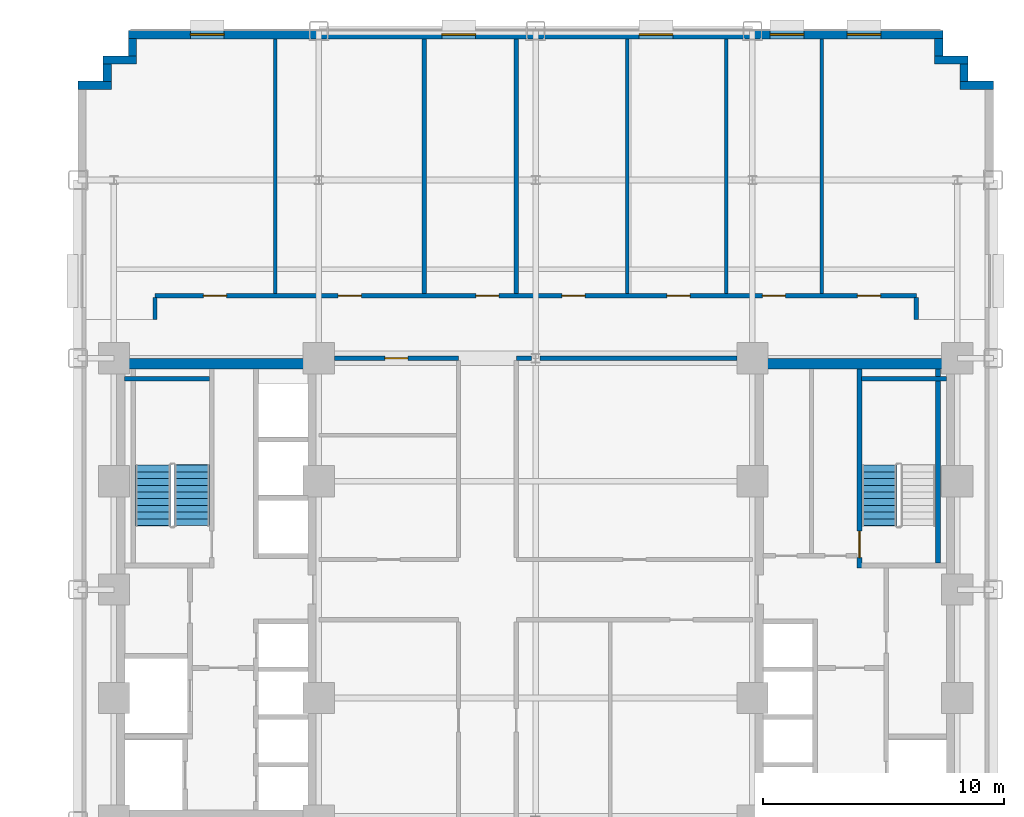
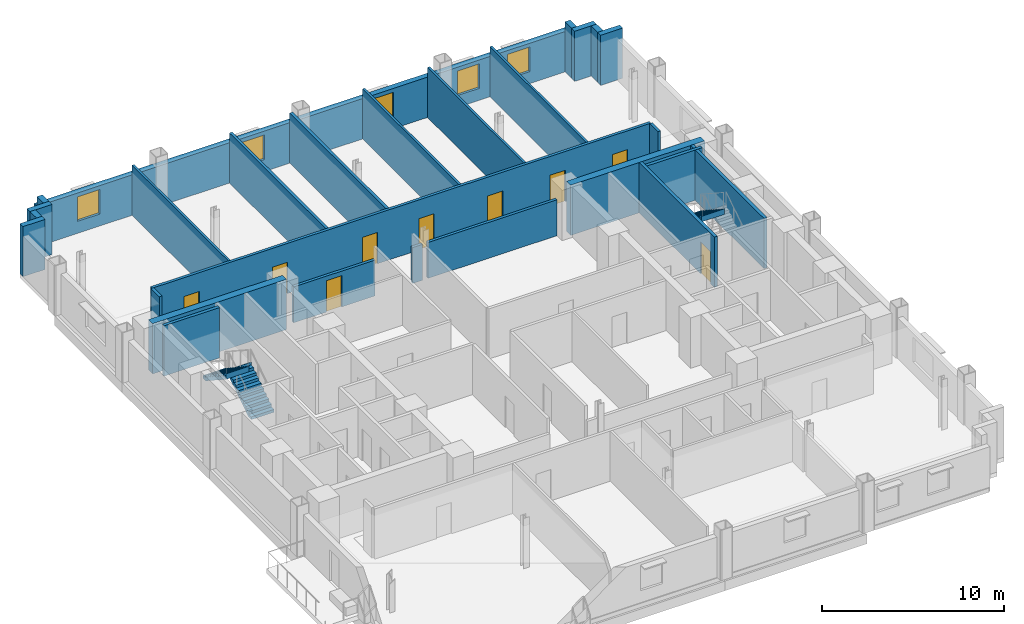
# One storey, part 7 of 12: 27 walls, 9 doors, 5 windows, 3 stair flights, 14 openings, 2 elements without a shape of their own.
"""IFC4 building model written with IfcOpenShell, lengths in metres."""

from ifc_helpers import new_model, si_unit, direction, frame, frame_2d, origin, place, context, subcontext, project, spatial, polyline, rectangle, outline, extrude, source, transform, mapped, material, layer, layer_set, type_object, type_shapes, element, fill, aggregate, save


model = new_model("IFC4")

# Units and contexts
model_context = context("Model", 3, precision=1e-05, world=origin(), true_north=direction((0.0, 1.0)))
body_context = subcontext(model_context, "Body", "Model", "MODEL_VIEW")
ifc_project = project(units=[si_unit("LENGTHUNIT", "METRE"), si_unit("AREAUNIT", "SQUARE_METRE"), si_unit("VOLUMEUNIT", "CUBIC_METRE"), si_unit("PLANEANGLEUNIT", "RADIAN"), si_unit("MASSUNIT", "GRAM", prefix="KILO")], contexts=[model_context])

# Site, building, storey
site_placement = place(None, origin())
site = spatial("IfcSite", under=ifc_project, at=site_placement, CompositionType="ELEMENT")
building_placement = place(site_placement, origin())
building = spatial("IfcBuilding", under=site, at=building_placement, Name="Nuvemarco Arch Tower", CompositionType="ELEMENT")
storey_placement = place(building_placement, frame((0.0, 0.0, 34.89990234375)))
storey = spatial("IfcBuildingStorey", under=building, at=storey_placement, Name="L08", CompositionType="ELEMENT", Elevation=34.89990234375)

# Walls
ifc_material_1 = material(Name="Precast concrete C45/55", Category="concrete")
ifc_layer_1 = layer(ifc_material_1, 0.340087890625, Name="EW-LOW-340")
ifc_layer_set_1 = layer_set([ifc_layer_1], Name="Precast concrete C45/55")
wall_type_1 = type_object("IfcWallType", Name="EW-LOW-340", PredefinedType="STANDARD", material=ifc_layer_set_1)
wall_1_placement = place(storey_placement, frame((17.610107421875, 20.929931640625, 0.0), z_axis=(0.0, 0.0, 1.0), x_axis=(1.0, 0.0, 0.0)))
element("IfcWall", 1, at=wall_1_placement, inside=storey, type_object=wall_type_1, Name="L08 exterior precast facade wall 7", PredefinedType="STANDARD", context=body_context, shape_type="SweptSolid", body=[
    extrude(rectangle(XDim=1.389892578125, YDim=0.340087890625, at=frame_2d((0.69482421875, 0.0))), origin(), (0.0, 0.0, 1.0), 3.360107421875),
])
wall_2_placement = place(storey_placement, frame((17.780029296875, 21.095947265625, 0.0), z_axis=(0.0, 0.0, 1.0), x_axis=(0.0, 1.0, 0.0)))
element("IfcWall", 2, at=wall_2_placement, inside=storey, type_object=wall_type_1, Name="L08 exterior precast facade wall 8", PredefinedType="STANDARD", context=body_context, shape_type="SweptSolid", body=[
    extrude(rectangle(XDim=0.718017578125, YDim=0.340087890625, at=frame_2d((0.35888671875, 0.0))), origin(), (0.0, 0.0, 1.0), 3.360107421875),
])
wall_3_placement = place(storey_placement, frame((16.56005859375, 21.97998046875, 0.0), z_axis=(0.0, 0.0, 1.0), x_axis=(1.0, 0.0, 0.0)))
element("IfcWall", 3, at=wall_3_placement, inside=storey, type_object=wall_type_1, Name="L08 exterior precast facade wall 9", PredefinedType="STANDARD", context=body_context, shape_type="SweptSolid", body=[
    extrude(rectangle(XDim=1.389892578125, YDim=0.340087890625, at=frame_2d((0.69482421875, 0.0))), origin(), (0.0, 0.0, 1.0), 3.360107421875),
])
wall_4_placement = place(storey_placement, frame((16.72998046875, 22.14599609375, 0.0), z_axis=(0.0, 0.0, 1.0), x_axis=(0.0, 1.0, 0.0)))
element("IfcWall", 4, at=wall_4_placement, inside=storey, type_object=wall_type_1, Name="L08 exterior precast facade wall 10", PredefinedType="STANDARD", context=body_context, shape_type="SweptSolid", body=[
    extrude(rectangle(XDim=0.718017578125, YDim=0.340087890625, at=frame_2d((0.35888671875, 0.0))), origin(), (0.0, 0.0, 1.0), 3.360107421875),
])

# Wall, openings, windows
wall_5_placement = place(storey_placement, frame((-16.89990234375, 23.030029296875, 0.0), z_axis=(0.0, 0.0, 1.0), x_axis=(1.0, 0.0, 0.0)))
wall_5 = element("IfcWall", 5, at=wall_5_placement, inside=storey, type_object=wall_type_1, Name="L08 exterior precast facade wall 11", PredefinedType="STANDARD", context=body_context, shape_type="SweptSolid", body=[
    extrude(rectangle(XDim=33.7998046875, YDim=0.340087890625, at=frame_2d((16.89990234375, 0.0))), origin(), (0.0, 0.0, 1.0), 2.705078125),
])
opening_1_placement = place(wall_5_placement, frame((2.5712890625, 0.0, 0.800048828125)))
opening_1 = element("IfcOpeningElement", 6, at=opening_1_placement, cuts=wall_5, Name="Opening WN-4", PredefinedType="OPENING", context=body_context, shape_type="SweptSolid", body=[
    extrude(rectangle(XDim=1.39990234375, YDim=1.64990234375, at=frame_2d((0.699951171875, 0.824951171875))), frame((0.0, 0.179931640625, 0.0), z_axis=(0.0, -1.0, 0.0), x_axis=(1.0, 0.0, 0.0)), (0.0, 0.0, 1.0), 0.360107421875),
])
opening_2_placement = place(wall_5_placement, frame((13.007080078125, 0.0, 0.800048828125)))
opening_2 = element("IfcOpeningElement", 7, at=opening_2_placement, cuts=wall_5, Name="Opening WN-4", PredefinedType="OPENING", context=body_context, shape_type="SweptSolid", body=[
    extrude(rectangle(XDim=1.39990234375, YDim=1.64990234375, at=frame_2d((0.699951171875, 0.824951171875))), frame((0.0, 0.179931640625, 0.0), z_axis=(0.0, -1.0, 0.0), x_axis=(1.0, 0.0, 0.0)), (0.0, 0.0, 1.0), 0.360107421875),
])
opening_3_placement = place(wall_5_placement, frame((21.19287109375, 0.0, 0.800048828125)))
opening_3 = element("IfcOpeningElement", 8, at=opening_3_placement, cuts=wall_5, Name="Opening WN-4", PredefinedType="OPENING", context=body_context, shape_type="SweptSolid", body=[
    extrude(rectangle(XDim=1.39990234375, YDim=1.64990234375, at=frame_2d((0.699951171875, 0.824951171875))), frame((0.0, 0.179931640625, 0.0), z_axis=(0.0, -1.0, 0.0), x_axis=(1.0, 0.0, 0.0)), (0.0, 0.0, 1.0), 0.360107421875),
])
opening_4_placement = place(wall_5_placement, frame((26.6357421875, 0.0, 0.800048828125)))
opening_4 = element("IfcOpeningElement", 9, at=opening_4_placement, cuts=wall_5, Name="Opening WN-4", PredefinedType="OPENING", context=body_context, shape_type="SweptSolid", body=[
    extrude(rectangle(XDim=1.39990234375, YDim=1.64990234375, at=frame_2d((0.699951171875, 0.824951171875))), frame((0.0, 0.179931640625, 0.0), z_axis=(0.0, -1.0, 0.0), x_axis=(1.0, 0.0, 0.0)), (0.0, 0.0, 1.0), 0.360107421875),
])
opening_5_placement = place(wall_5_placement, frame((29.82861328125, 0.0, 0.800048828125)))
opening_5 = element("IfcOpeningElement", 10, at=opening_5_placement, cuts=wall_5, Name="Opening WN-4", PredefinedType="OPENING", context=body_context, shape_type="SweptSolid", body=[
    extrude(rectangle(XDim=1.39990234375, YDim=1.64990234375, at=frame_2d((0.699951171875, 0.824951171875))), frame((0.0, 0.179931640625, 0.0), z_axis=(0.0, -1.0, 0.0), x_axis=(1.0, 0.0, 0.0)), (0.0, 0.0, 1.0), 0.360107421875),
])
ifc_material_2 = material(Name="Insulated solar-control glass", Category="glass")
window_type = type_object("IfcWindowType", Name="WN-LOW-1400x1650", PartitioningType="SINGLE_PANEL", PredefinedType="WINDOW", material=ifc_material_2)
shared_shape_1 = source(origin(), body_context, "Body", "SweptSolid", [
    extrude(rectangle(XDim=1.39990234375, YDim=1.64990234375, at=frame_2d((0.699951171875, 0.824951171875))), frame((0.0, 0.030029296875, 0.0), z_axis=(0.0, -1.0, 0.0), x_axis=(1.0, 0.0, 0.0)), (0.0, 0.0, 1.0), 0.06005859375),
])
type_shapes(window_type, [shared_shape_1])
window_1_placement = place(opening_1_placement, origin())
window_1 = element("IfcWindow", 11, at=window_1_placement, inside=storey, type_object=window_type, Name="L08 punched facade window 1", OverallHeight=1.64990234375, OverallWidth=1.39990234375, PartitioningType="SINGLE_PANEL", PredefinedType="WINDOW", context=body_context, shape_type="MappedRepresentation", body=[
    mapped(shared_shape_1, transform((0.0, 0.0, 0.0), scale=1.0)),
])
fill(opening_1, window_1)
window_2_placement = place(opening_2_placement, origin())
window_2 = element("IfcWindow", 12, at=window_2_placement, inside=storey, type_object=window_type, Name="L08 punched facade window 3", OverallHeight=1.64990234375, OverallWidth=1.39990234375, PartitioningType="SINGLE_PANEL", PredefinedType="WINDOW", context=body_context, shape_type="MappedRepresentation", body=[
    mapped(shared_shape_1, transform((0.0, 0.0, 0.0), scale=1.0)),
])
fill(opening_2, window_2)
window_3_placement = place(opening_3_placement, origin())
window_3 = element("IfcWindow", 13, at=window_3_placement, inside=storey, type_object=window_type, Name="L08 punched facade window 5", OverallHeight=1.64990234375, OverallWidth=1.39990234375, PartitioningType="SINGLE_PANEL", PredefinedType="WINDOW", context=body_context, shape_type="MappedRepresentation", body=[
    mapped(shared_shape_1, transform((0.0, 0.0, 0.0), scale=1.0)),
])
fill(opening_3, window_3)
window_4_placement = place(opening_4_placement, origin())
window_4 = element("IfcWindow", 14, at=window_4_placement, inside=storey, type_object=window_type, Name="L08 punched facade window 6", OverallHeight=1.64990234375, OverallWidth=1.39990234375, PartitioningType="SINGLE_PANEL", PredefinedType="WINDOW", context=body_context, shape_type="MappedRepresentation", body=[
    mapped(shared_shape_1, transform((0.0, 0.0, 0.0), scale=1.0)),
])
fill(opening_4, window_4)
window_5_placement = place(opening_5_placement, origin())
window_5 = element("IfcWindow", 15, at=window_5_placement, inside=storey, type_object=window_type, Name="L08 punched facade window 7", OverallHeight=1.64990234375, OverallWidth=1.39990234375, PartitioningType="SINGLE_PANEL", PredefinedType="WINDOW", context=body_context, shape_type="MappedRepresentation", body=[
    mapped(shared_shape_1, transform((0.0, 0.0, 0.0), scale=1.0)),
])
fill(opening_5, window_5)

# Walls
wall_6_placement = place(storey_placement, frame((-16.72998046875, 22.14599609375, 0.0), z_axis=(0.0, 0.0, 1.0), x_axis=(0.0, 1.0, 0.0)))
element("IfcWall", 16, at=wall_6_placement, inside=storey, type_object=wall_type_1, Name="L08 exterior precast facade wall 12", PredefinedType="STANDARD", context=body_context, shape_type="SweptSolid", body=[
    extrude(rectangle(XDim=0.718017578125, YDim=0.340087890625, at=frame_2d((0.35888671875, 0.0))), origin(), (0.0, 0.0, 1.0), 3.360107421875),
])
wall_7_placement = place(storey_placement, frame((-17.949951171875, 21.97998046875, 0.0), z_axis=(0.0, 0.0, 1.0), x_axis=(1.0, 0.0, 0.0)))
element("IfcWall", 17, at=wall_7_placement, inside=storey, type_object=wall_type_1, Name="L08 exterior precast facade wall 13", PredefinedType="STANDARD", context=body_context, shape_type="SweptSolid", body=[
    extrude(rectangle(XDim=1.389892578125, YDim=0.340087890625, at=frame_2d((0.69482421875, 0.0))), origin(), (0.0, 0.0, 1.0), 3.360107421875),
])
wall_8_placement = place(storey_placement, frame((-17.780029296875, 21.095947265625, 0.0), z_axis=(0.0, 0.0, 1.0), x_axis=(0.0, 1.0, 0.0)))
element("IfcWall", 18, at=wall_8_placement, inside=storey, type_object=wall_type_1, Name="L08 exterior precast facade wall 14", PredefinedType="STANDARD", context=body_context, shape_type="SweptSolid", body=[
    extrude(rectangle(XDim=0.718017578125, YDim=0.340087890625, at=frame_2d((0.35888671875, 0.0))), origin(), (0.0, 0.0, 1.0), 3.360107421875),
])
wall_9_placement = place(storey_placement, frame((-19.0, 20.929931640625, 0.0), z_axis=(0.0, 0.0, 1.0), x_axis=(1.0, 0.0, 0.0)))
element("IfcWall", 19, at=wall_9_placement, inside=storey, type_object=wall_type_1, Name="L08 exterior precast facade wall 15", PredefinedType="STANDARD", context=body_context, shape_type="SweptSolid", body=[
    extrude(rectangle(XDim=1.389892578125, YDim=0.340087890625, at=frame_2d((0.69482421875, 0.0))), origin(), (0.0, 0.0, 1.0), 3.360107421875),
])
ifc_material_3 = material(Name="Concrete C60/75", Category="concrete")
ifc_layer_2 = layer(ifc_material_3, 0.449951171875, Name="WL-CORE-450")
ifc_layer_set_2 = layer_set([ifc_layer_2], Name="Concrete C60/75")
wall_type_2 = type_object("IfcWallType", Name="WL-CORE-450", PredefinedType="SHEAR", material=ifc_layer_set_2)
for number, where, z_axis, x_axis, name in (
    (20, (-17.5, 9.375, 0.0), (0.0, 0.0, 1.0), (1.0, 0.0, 0.0), "L08 W-core shear wall N"),
    (21, (9.0, 9.375, 0.0), (0.0, 0.0, 1.0), (1.0, 0.0, 0.0), "L08 E-core shear wall N"),
):
    element("IfcWall", number, at=place(storey_placement, frame(where, z_axis=z_axis, x_axis=x_axis)), inside=storey, type_object=wall_type_2, Name=name, PredefinedType="SHEAR", context=body_context, shape_type="SweptSolid", body=[
        extrude(rectangle(XDim=8.5, YDim=0.449951171875, at=frame_2d((4.25, 0.0))), origin(), (0.0, 0.0, 1.0), 3.3701171875),
    ])

# Wall, opening, door
ifc_material_4 = material(Name="Fire-rated gypsum drywall partition")
ifc_layer_3 = layer(ifc_material_4, 0.179931640625, Name="WL-CORR-180")
ifc_layer_set_3 = layer_set([ifc_layer_3], Name="Fire-rated gypsum drywall partition")
wall_type_3 = type_object("IfcWallType", Name="WL-CORR-180", PredefinedType="PARTITIONING", material=ifc_layer_set_3)
wall_10_placement = place(storey_placement, frame((-8.35400390625, 9.60009765625, 0.0), z_axis=(0.0, 0.0, 1.0), x_axis=(1.0, 0.0, 0.0)))
wall_10 = element("IfcWall", 22, at=wall_10_placement, inside=storey, type_object=wall_type_3, Name="L08 interior wall IW-L08-012", PredefinedType="PARTITIONING", context=body_context, shape_type="SweptSolid", body=[
    extrude(rectangle(XDim=5.154052734375, YDim=0.179931640625, at=frame_2d((2.5771484375, 0.0))), origin(), (0.0, 0.0, 1.0), 2.405029296875),
])
opening_6_placement = place(wall_10_placement, frame((2.096923828125, 0.0, 0.0)))
opening_6 = element("IfcOpeningElement", 23, at=opening_6_placement, cuts=wall_10, Name="Opening FD-5", PredefinedType="OPENING", context=body_context, shape_type="SweptSolid", body=[
    extrude(rectangle(XDim=0.9599609375, YDim=2.10009765625, at=frame_2d((0.47998046875, 1.050048828125))), frame((0.0, 0.099853515625, 0.0), z_axis=(0.0, -1.0, 0.0), x_axis=(1.0, 0.0, 0.0)), (0.0, 0.0, 1.0), 0.199951171875),
])
ifc_material_5 = material(Name="Timber fire door", Category="wood")
door_type_1 = type_object("IfcDoorType", Name="DR-CORR-FD", OperationType="NOTDEFINED", PredefinedType="DOOR", material=ifc_material_5)
shared_shape_2 = source(origin(), body_context, "Body", "SweptSolid", [
    extrude(rectangle(XDim=0.9599609375, YDim=2.10009765625, at=frame_2d((0.47998046875, 1.050048828125))), frame((0.0, 0.02490234375, 0.0), z_axis=(0.0, -1.0, 0.0), x_axis=(1.0, 0.0, 0.0)), (0.0, 0.0, 1.0), 0.050048828125),
])
type_shapes(door_type_1, [shared_shape_2])
door_1_placement = place(opening_6_placement, origin())
door_1 = element("IfcDoor", 24, at=door_1_placement, inside=storey, type_object=door_type_1, Name="L08 door DR-L08-C_NW2", OperationType="SINGLE_SWING_LEFT", OverallHeight=2.10009765625, OverallWidth=0.9599609375, PredefinedType="DOOR", context=body_context, shape_type="MappedRepresentation", body=[
    mapped(shared_shape_2, transform((0.0, 0.0, 0.0), scale=1.0)),
])
fill(opening_6, door_1)

# Walls
wall_11_placement = place(storey_placement, frame((-0.800048828125, 9.60009765625, 0.0), z_axis=(0.0, 0.0, 1.0), x_axis=(1.0, 0.0, 0.0)))
element("IfcWall", 25, at=wall_11_placement, inside=storey, type_object=wall_type_3, Name="L08 interior wall IW-L08-013", PredefinedType="PARTITIONING", context=body_context, shape_type="SweptSolid", body=[
    extrude(rectangle(XDim=0.6240234375, YDim=0.179931640625, at=frame_2d((0.31201171875, 0.0))), origin(), (0.0, 0.0, 1.0), 2.405029296875),
])
wall_12_placement = place(storey_placement, frame((0.176025390625, 9.60009765625, 0.0), z_axis=(0.0, 0.0, 1.0), x_axis=(1.0, 0.0, 0.0)))
element("IfcWall", 26, at=wall_12_placement, inside=storey, type_object=wall_type_3, Name="L08 interior wall IW-L08-014", PredefinedType="PARTITIONING", context=body_context, shape_type="SweptSolid", body=[
    extrude(rectangle(XDim=8.177978515625, YDim=0.179931640625, at=frame_2d((4.0888671875, 0.0))), origin(), (0.0, 0.0, 1.0), 2.405029296875),
])

# Wall, openings, doors
wall_13_placement = place(storey_placement, frame((-15.800048828125, 12.199951171875, 0.0), z_axis=(0.0, 0.0, 1.0), x_axis=(1.0, 0.0, 0.0)))
wall_13 = element("IfcWall", 27, at=wall_13_placement, inside=storey, type_object=wall_type_3, Name="L08 interior wall IW-L08-015", PredefinedType="PARTITIONING", context=body_context, shape_type="SweptSolid", body=[
    extrude(rectangle(XDim=31.60009765625, YDim=0.179931640625, at=frame_2d((15.800048828125, 0.0))), origin(), (0.0, 0.0, 1.0), 3.360107421875),
])
opening_7_placement = place(wall_13_placement, frame((7.60498046875, 0.0, 0.0)))
opening_7 = element("IfcOpeningElement", 28, at=opening_7_placement, cuts=wall_13, Name="Opening FD-5", PredefinedType="OPENING", context=body_context, shape_type="SweptSolid", body=[
    extrude(rectangle(XDim=0.9599609375, YDim=2.10009765625, at=frame_2d((0.47998046875, 1.050048828125))), frame((0.0, 0.099853515625, 0.0), z_axis=(0.0, -1.0, 0.0), x_axis=(1.0, 0.0, 0.0)), (0.0, 0.0, 1.0), 0.199951171875),
])
opening_8_placement = place(wall_13_placement, frame((2.014892578125, 0.0, 0.0)))
opening_8 = element("IfcOpeningElement", 29, at=opening_8_placement, cuts=wall_13, Name="Opening FD-5", PredefinedType="OPENING", context=body_context, shape_type="SweptSolid", body=[
    extrude(rectangle(XDim=0.9599609375, YDim=2.10009765625, at=frame_2d((0.47998046875, 1.050048828125))), frame((0.0, 0.099853515625, 0.0), z_axis=(0.0, -1.0, 0.0), x_axis=(1.0, 0.0, 0.0)), (0.0, 0.0, 1.0), 0.199951171875),
])
opening_9_placement = place(wall_13_placement, frame((16.89501953125, 0.0, 0.0)))
opening_9 = element("IfcOpeningElement", 30, at=opening_9_placement, cuts=wall_13, Name="Opening FD-5", PredefinedType="OPENING", context=body_context, shape_type="SweptSolid", body=[
    extrude(rectangle(XDim=0.9599609375, YDim=2.10009765625, at=frame_2d((0.47998046875, 1.050048828125))), frame((0.0, 0.099853515625, 0.0), z_axis=(0.0, -1.0, 0.0), x_axis=(1.0, 0.0, 0.0)), (0.0, 0.0, 1.0), 0.199951171875),
])
opening_10_placement = place(wall_13_placement, frame((21.25, 0.0, 0.0)))
opening_10 = element("IfcOpeningElement", 31, at=opening_10_placement, cuts=wall_13, Name="Opening FD-5", PredefinedType="OPENING", context=body_context, shape_type="SweptSolid", body=[
    extrude(rectangle(XDim=0.9599609375, YDim=2.10009765625, at=frame_2d((0.47998046875, 1.050048828125))), frame((0.0, 0.099853515625, 0.0), z_axis=(0.0, -1.0, 0.0), x_axis=(1.0, 0.0, 0.0)), (0.0, 0.0, 1.0), 0.199951171875),
])
opening_11_placement = place(wall_13_placement, frame((25.2099609375, 0.0, 0.0)))
opening_11 = element("IfcOpeningElement", 32, at=opening_11_placement, cuts=wall_13, Name="Opening FD-5", PredefinedType="OPENING", context=body_context, shape_type="SweptSolid", body=[
    extrude(rectangle(XDim=0.9599609375, YDim=2.10009765625, at=frame_2d((0.47998046875, 1.050048828125))), frame((0.0, 0.099853515625, 0.0), z_axis=(0.0, -1.0, 0.0), x_axis=(1.0, 0.0, 0.0)), (0.0, 0.0, 1.0), 0.199951171875),
])
opening_12_placement = place(wall_13_placement, frame((29.155029296875, 0.0, 0.0)))
opening_12 = element("IfcOpeningElement", 33, at=opening_12_placement, cuts=wall_13, Name="Opening FD-5", PredefinedType="OPENING", context=body_context, shape_type="SweptSolid", body=[
    extrude(rectangle(XDim=0.9599609375, YDim=2.10009765625, at=frame_2d((0.47998046875, 1.050048828125))), frame((0.0, 0.099853515625, 0.0), z_axis=(0.0, -1.0, 0.0), x_axis=(1.0, 0.0, 0.0)), (0.0, 0.0, 1.0), 0.199951171875),
])
opening_13_placement = place(wall_13_placement, frame((13.320068359375, 0.0, 0.0)))
opening_13 = element("IfcOpeningElement", 34, at=opening_13_placement, cuts=wall_13, Name="Opening FD-5", PredefinedType="OPENING", context=body_context, shape_type="SweptSolid", body=[
    extrude(rectangle(XDim=0.9599609375, YDim=2.10009765625, at=frame_2d((0.47998046875, 1.050048828125))), frame((0.0, 0.099853515625, 0.0), z_axis=(0.0, -1.0, 0.0), x_axis=(1.0, 0.0, 0.0)), (0.0, 0.0, 1.0), 0.199951171875),
])
door_2_placement = place(opening_7_placement, origin())
door_2 = element("IfcDoor", 35, at=door_2_placement, inside=storey, type_object=door_type_1, Name="L08 door DR-L08-N_2", OperationType="SINGLE_SWING_RIGHT", OverallHeight=2.10009765625, OverallWidth=0.9599609375, PredefinedType="DOOR", context=body_context, shape_type="MappedRepresentation", body=[
    mapped(shared_shape_2, transform((0.0, 0.0, 0.0), scale=1.0)),
])
fill(opening_7, door_2)
door_3_placement = place(opening_8_placement, origin())
door_3 = element("IfcDoor", 36, at=door_3_placement, inside=storey, type_object=door_type_1, Name="L08 door DR-L08-N_1", OperationType="SINGLE_SWING_RIGHT", OverallHeight=2.10009765625, OverallWidth=0.9599609375, PredefinedType="DOOR", context=body_context, shape_type="MappedRepresentation", body=[
    mapped(shared_shape_2, transform((0.0, 0.0, 0.0), scale=1.0)),
])
fill(opening_8, door_3)
door_4_placement = place(opening_9_placement, origin())
door_4 = element("IfcDoor", 37, at=door_4_placement, inside=storey, type_object=door_type_1, Name="L08 door DR-L08-N_4", OperationType="SINGLE_SWING_LEFT", OverallHeight=2.10009765625, OverallWidth=0.9599609375, PredefinedType="DOOR", context=body_context, shape_type="MappedRepresentation", body=[
    mapped(shared_shape_2, transform((0.0, 0.0, 0.0), scale=1.0)),
])
fill(opening_9, door_4)
door_5_placement = place(opening_10_placement, origin())
door_5 = element("IfcDoor", 38, at=door_5_placement, inside=storey, type_object=door_type_1, Name="L08 door DR-L08-N_5", OperationType="SINGLE_SWING_RIGHT", OverallHeight=2.10009765625, OverallWidth=0.9599609375, PredefinedType="DOOR", context=body_context, shape_type="MappedRepresentation", body=[
    mapped(shared_shape_2, transform((0.0, 0.0, 0.0), scale=1.0)),
])
fill(opening_10, door_5)
door_6_placement = place(opening_11_placement, origin())
door_6 = element("IfcDoor", 39, at=door_6_placement, inside=storey, type_object=door_type_1, Name="L08 door DR-L08-N_6", OperationType="SINGLE_SWING_LEFT", OverallHeight=2.10009765625, OverallWidth=0.9599609375, PredefinedType="DOOR", context=body_context, shape_type="MappedRepresentation", body=[
    mapped(shared_shape_2, transform((0.0, 0.0, 0.0), scale=1.0)),
])
fill(opening_11, door_6)
door_7_placement = place(opening_12_placement, origin())
door_7 = element("IfcDoor", 40, at=door_7_placement, inside=storey, type_object=door_type_1, Name="L08 door DR-L08-N_7", OperationType="SINGLE_SWING_RIGHT", OverallHeight=2.10009765625, OverallWidth=0.9599609375, PredefinedType="DOOR", context=body_context, shape_type="MappedRepresentation", body=[
    mapped(shared_shape_2, transform((0.0, 0.0, 0.0), scale=1.0)),
])
fill(opening_12, door_7)
door_8_placement = place(opening_13_placement, origin())
door_8 = element("IfcDoor", 41, at=door_8_placement, inside=storey, type_object=door_type_1, Name="L08 door DR-L08-N_3", OperationType="SINGLE_SWING_LEFT", OverallHeight=2.10009765625, OverallWidth=0.9599609375, PredefinedType="DOOR", context=body_context, shape_type="MappedRepresentation", body=[
    mapped(shared_shape_2, transform((0.0, 0.0, 0.0), scale=1.0)),
])
fill(opening_13, door_8)

# Walls
wall_14_placement = place(storey_placement, frame((-15.800048828125, 11.199951171875, 0.0), z_axis=(0.0, 0.0, 1.0), x_axis=(0.0, 1.0, 0.0)))
element("IfcWall", 42, at=wall_14_placement, inside=storey, type_object=wall_type_3, Name="L08 interior wall IW-L08-017", PredefinedType="PARTITIONING", context=body_context, shape_type="SweptSolid", body=[
    extrude(rectangle(XDim=0.9140625, YDim=0.179931640625, at=frame_2d((0.45703125, 0.0))), origin(), (0.0, 0.0, 1.0), 3.360107421875),
])
for number, where, z_axis, x_axis, name in (
    (43, (-4.6201171875, 12.285888671875, 0.0), (0.0, 0.0, 1.0), (0.0, 1.0, 0.0), "L08 interior wall IW-L08-020"),
    (44, (-0.800048828125, 12.285888671875, 0.0), (0.0, 0.0, 1.0), (0.0, 1.0, 0.0), "L08 interior wall IW-L08-026"),
):
    element("IfcWall", number, at=place(storey_placement, frame(where, z_axis=z_axis, x_axis=x_axis)), inside=storey, type_object=wall_type_3, Name=name, PredefinedType="PARTITIONING", context=body_context, shape_type="SweptSolid", body=[
        extrude(rectangle(XDim=10.57421875, YDim=0.179931640625, at=frame_2d((5.287109375, 0.0))), origin(), (0.0, 0.0, 1.0), 3.360107421875),
    ])
wall_15_placement = place(storey_placement, frame((15.800048828125, 11.199951171875, 0.0), z_axis=(0.0, 0.0, 1.0), x_axis=(0.0, 1.0, 0.0)))
element("IfcWall", 45, at=wall_15_placement, inside=storey, type_object=wall_type_3, Name="L08 interior wall IW-L08-037", PredefinedType="PARTITIONING", context=body_context, shape_type="SweptSolid", body=[
    extrude(rectangle(XDim=0.9140625, YDim=0.179931640625, at=frame_2d((0.45703125, 0.0))), origin(), (0.0, 0.0, 1.0), 3.360107421875),
])
ifc_material_6 = material(Name="Gypsum plasterboard partition")
ifc_layer_4 = layer(ifc_material_6, 0.139892578125, Name="WL-ROOM-140")
ifc_layer_set_4 = layer_set([ifc_layer_4], Name="Gypsum plasterboard partition")
wall_type_4 = type_object("IfcWallType", Name="WL-ROOM-140", PredefinedType="PARTITIONING", material=ifc_layer_set_4)
for number, where, z_axis, x_axis, name in (
    (46, (-10.81005859375, 12.285888671875, 0.0), (0.0, 0.0, 1.0), (0.0, 1.0, 0.0), "L08 interior wall IW-L08-018"),
    (47, (3.800048828125, 12.285888671875, 0.0), (0.0, 0.0, 1.0), (0.0, 1.0, 0.0), "L08 interior wall IW-L08-030"),
    (48, (7.909912109375, 12.285888671875, 0.0), (0.0, 0.0, 1.0), (0.0, 1.0, 0.0), "L08 interior wall IW-L08-032"),
    (49, (11.8701171875, 12.285888671875, 0.0), (0.0, 0.0, 1.0), (0.0, 1.0, 0.0), "L08 interior wall IW-L08-035"),
):
    element("IfcWall", number, at=place(storey_placement, frame(where, z_axis=z_axis, x_axis=x_axis)), inside=storey, type_object=wall_type_4, Name=name, PredefinedType="PARTITIONING", context=body_context, shape_type="SweptSolid", body=[
        extrude(rectangle(XDim=10.57421875, YDim=0.139892578125, at=frame_2d((5.287109375, 0.0))), origin(), (0.0, 0.0, 1.0), 3.360107421875),
    ])
ifc_material_7 = material(Name="Concrete C50/60", Category="concrete")
ifc_layer_5 = layer(ifc_material_7, 0.199951171875, Name="WL-SHAFT-220")
ifc_layer_set_5 = layer_set([ifc_layer_5], Name="Concrete C50/60")
wall_type_5 = type_object("IfcWallType", Name="WL-SHAFT-220", PredefinedType="SHEAR", material=ifc_layer_set_5)
wall_16_placement = place(storey_placement, frame((-17.054931640625, 8.75, 0.0), z_axis=(0.0, 0.0, 1.0), x_axis=(1.0, 0.0, 0.0)))
element("IfcWall", 50, at=wall_16_placement, inside=storey, type_object=wall_type_5, Name="L08 structural shaft wall SW-L08-W-ST1N", PredefinedType="SHEAR", context=body_context, shape_type="SweptSolid", body=[
    extrude(rectangle(XDim=3.52001953125, YDim=0.199951171875, at=frame_2d((1.760009765625, 0.0))), origin(), (0.0, 0.0, 1.0), 3.3701171875),
])

# Wall, opening, door
wall_17_placement = place(storey_placement, frame((13.43994140625, 0.89990234375, 0.0), z_axis=(0.0, 0.0, 1.0), x_axis=(0.0, 1.0, 0.0)))
wall_17 = element("IfcWall", 51, at=wall_17_placement, inside=storey, type_object=wall_type_5, Name="L08 structural shaft wall SW-L08-E-ST2W", PredefinedType="SHEAR", context=body_context, shape_type="SweptSolid", body=[
    extrude(rectangle(XDim=8.255126953125, YDim=0.199951171875, at=frame_2d((4.12744140625, 0.0))), origin(), (0.0, 0.0, 1.0), 3.3701171875),
])
opening_14_placement = place(wall_17_placement, frame((0.429931640625, 0.0, 0.0)))
opening_14 = element("IfcOpeningElement", 52, at=opening_14_placement, cuts=wall_17, Name="Opening FD-1", PredefinedType="OPENING", context=body_context, shape_type="SweptSolid", body=[
    extrude(rectangle(XDim=1.10009765625, YDim=2.14990234375, at=frame_2d((0.550048828125, 1.074951171875))), frame((0.0, 0.10986328125, 0.0), z_axis=(0.0, -1.0, 0.0), x_axis=(1.0, 0.0, 0.0)), (0.0, 0.0, 1.0), 0.219970703125),
])
ifc_material_8 = material(Name="Anodised steel fire door", Category="steel")
door_type_2 = type_object("IfcDoorType", Name="DR-STAIR-FD", OperationType="NOTDEFINED", PredefinedType="DOOR", material=ifc_material_8)
shared_shape_3 = source(origin(), body_context, "Body", "SweptSolid", [
    extrude(rectangle(XDim=1.10009765625, YDim=2.14990234375, at=frame_2d((0.550048828125, 1.074951171875))), frame((0.0, 0.02490234375, 0.0), z_axis=(0.0, -1.0, 0.0), x_axis=(1.0, 0.0, 0.0)), (0.0, 0.0, 1.0), 0.050048828125),
])
type_shapes(door_type_2, [shared_shape_3])
door_9_placement = place(opening_14_placement, origin())
door_9 = element("IfcDoor", 53, at=door_9_placement, inside=storey, type_object=door_type_2, Name="L08 door FD-L08-ST2", OperationType="SINGLE_SWING_RIGHT", OverallHeight=2.14990234375, OverallWidth=1.10009765625, PredefinedType="DOOR", context=body_context, shape_type="MappedRepresentation", body=[
    mapped(shared_shape_3, transform((0.0, 0.0, 0.0), scale=1.0)),
])
fill(opening_14, door_9)

# Walls
wall_18_placement = place(storey_placement, frame((13.534912109375, 8.75, 0.0), z_axis=(0.0, 0.0, 1.0), x_axis=(1.0, 0.0, 0.0)))
element("IfcWall", 54, at=wall_18_placement, inside=storey, type_object=wall_type_5, Name="L08 structural shaft wall SW-L08-E-ST2N", PredefinedType="SHEAR", context=body_context, shape_type="SweptSolid", body=[
    extrude(rectangle(XDim=3.52001953125, YDim=0.199951171875, at=frame_2d((1.760009765625, 0.0))), origin(), (0.0, 0.0, 1.0), 3.3701171875),
])
wall_19_placement = place(storey_placement, frame((16.699951171875, 1.094970703125, 0.0), z_axis=(0.0, 0.0, 1.0), x_axis=(0.0, 1.0, 0.0)))
element("IfcWall", 55, at=wall_19_placement, inside=storey, type_object=wall_type_5, Name="L08 structural shaft wall SW-L08-E-ST2E", PredefinedType="SHEAR", context=body_context, shape_type="SweptSolid", body=[
    extrude(rectangle(XDim=8.06005859375, YDim=0.199951171875, at=frame_2d((4.030029296875, 0.0))), origin(), (0.0, 0.0, 1.0), 3.3701171875),
])

# Stair, stair flights
stair_type = type_object("IfcStairType", Name="ST-CORE-20R", PredefinedType="HALF_TURN_STAIR", material=ifc_material_1)
stair_1_placement = place(storey_placement, origin())
stair_1 = element("IfcStair", 56, at=stair_1_placement, inside=storey, type_object=stair_type, Name="L08 Protected Exit Stair ST-1", PredefinedType="HALF_TURN_STAIR")
stair_flight_type = type_object("IfcStairFlightType", Name="SF-CORE-20R", PredefinedType="STRAIGHT", material=ifc_material_1)
stair_flight_1_placement = place(storey_placement, frame((-14.264892578125, 2.64990234375, 0.0), z_axis=(0.0, 0.0, 1.0), x_axis=(0.0, 1.0, 0.0)))
stair_flight_1 = element("IfcStairFlight", 57, at=stair_flight_1_placement, type_object=stair_flight_type, Name="ST-20R flight 1", NumberOfRisers=10, NumberOfTreads=9, PredefinedType="STRAIGHT", RiserHeight=0.1825, TreadLength=0.28, context=body_context, shape_type="SweptSolid", body=[
    extrude(outline(polyline([(0.0, 0.0), (0.0, 0.1826171875), (0.280029296875, 0.1826171875), (0.280029296875, 0.364990234375), (0.56005859375, 0.364990234375), (0.56005859375, 0.547607421875), (0.840087890625, 0.547607421875), (0.840087890625, 0.72998046875), (1.1201171875, 0.72998046875), (1.1201171875, 0.91259765625), (1.39990234375, 0.91259765625), (1.39990234375, 1.094970703125), (1.679931640625, 1.094970703125), (1.679931640625, 1.277587890625), (1.9599609375, 1.277587890625), (1.9599609375, 1.4599609375), (2.239990234375, 1.4599609375), (2.239990234375, 1.642578125), (2.52001953125, 1.642578125), (2.52001953125, 1.824951171875), (2.5400390625, 1.824951171875), (2.5400390625, 1.45166015625), (0.312744140625, 0.0), (0.0, 0.0)])), frame((0.0, 0.72509765625, 0.0), z_axis=(0.0, -1.0, 0.0), x_axis=(1.0, 0.0, 0.0)), (0.0, 0.0, 1.0), 1.449951171875),
])
stair_flight_2_placement = place(storey_placement, frame((-15.875, 5.169921875, 1.8251953125), z_axis=(0.0, 0.0, 1.0), x_axis=(0.0, -1.0, 0.0)))
stair_flight_2 = element("IfcStairFlight", 58, at=stair_flight_2_placement, type_object=stair_flight_type, Name="ST-20R flight 2", NumberOfRisers=10, NumberOfTreads=9, PredefinedType="STRAIGHT", RiserHeight=0.1825, TreadLength=0.28, context=body_context, shape_type="SweptSolid", body=[
    extrude(outline(polyline([(0.0, 0.0), (0.0, 0.1826171875), (0.280029296875, 0.1826171875), (0.280029296875, 0.364990234375), (0.56005859375, 0.364990234375), (0.56005859375, 0.547607421875), (0.840087890625, 0.547607421875), (0.840087890625, 0.72998046875), (1.1201171875, 0.72998046875), (1.1201171875, 0.91259765625), (1.39990234375, 0.91259765625), (1.39990234375, 1.094970703125), (1.679931640625, 1.094970703125), (1.679931640625, 1.277587890625), (1.9599609375, 1.277587890625), (1.9599609375, 1.4599609375), (2.239990234375, 1.4599609375), (2.239990234375, 1.642578125), (2.52001953125, 1.642578125), (2.52001953125, 1.824951171875), (2.5400390625, 1.824951171875), (2.5400390625, 1.45166015625), (0.312744140625, 0.0), (0.0, 0.0)])), frame((0.0, 0.72509765625, 0.0), z_axis=(0.0, -1.0, 0.0), x_axis=(1.0, 0.0, 0.0)), (0.0, 0.0, 1.0), 1.449951171875),
])
aggregate(stair_1, [stair_flight_1, stair_flight_2])

# Stair, stair flight
stair_2_placement = place(storey_placement, origin())
stair_2 = element("IfcStair", 59, at=stair_2_placement, inside=storey, type_object=stair_type, Name="L08 Protected Exit Stair ST-2", PredefinedType="HALF_TURN_STAIR")
stair_flight_3_placement = place(storey_placement, frame((14.264892578125, 5.169921875, 1.8251953125), z_axis=(0.0, 0.0, 1.0), x_axis=(0.0, -1.0, 0.0)))
stair_flight_3 = element("IfcStairFlight", 60, at=stair_flight_3_placement, type_object=stair_flight_type, Name="ST-20R flight 2", NumberOfRisers=10, NumberOfTreads=9, PredefinedType="STRAIGHT", RiserHeight=0.1825, TreadLength=0.28, context=body_context, shape_type="SweptSolid", body=[
    extrude(outline(polyline([(0.0, 0.0), (0.0, 0.1826171875), (0.280029296875, 0.1826171875), (0.280029296875, 0.364990234375), (0.56005859375, 0.364990234375), (0.56005859375, 0.547607421875), (0.840087890625, 0.547607421875), (0.840087890625, 0.72998046875), (1.1201171875, 0.72998046875), (1.1201171875, 0.91259765625), (1.39990234375, 0.91259765625), (1.39990234375, 1.094970703125), (1.679931640625, 1.094970703125), (1.679931640625, 1.277587890625), (1.9599609375, 1.277587890625), (1.9599609375, 1.4599609375), (2.239990234375, 1.4599609375), (2.239990234375, 1.642578125), (2.52001953125, 1.642578125), (2.52001953125, 1.824951171875), (2.5400390625, 1.824951171875), (2.5400390625, 1.45166015625), (0.312744140625, 0.0), (0.0, 0.0)])), frame((0.0, 0.72509765625, 0.0), z_axis=(0.0, -1.0, 0.0), x_axis=(1.0, 0.0, 0.0)), (0.0, 0.0, 1.0), 1.449951171875),
])
aggregate(stair_2, [stair_flight_3])

save(model, "model.ifc")
